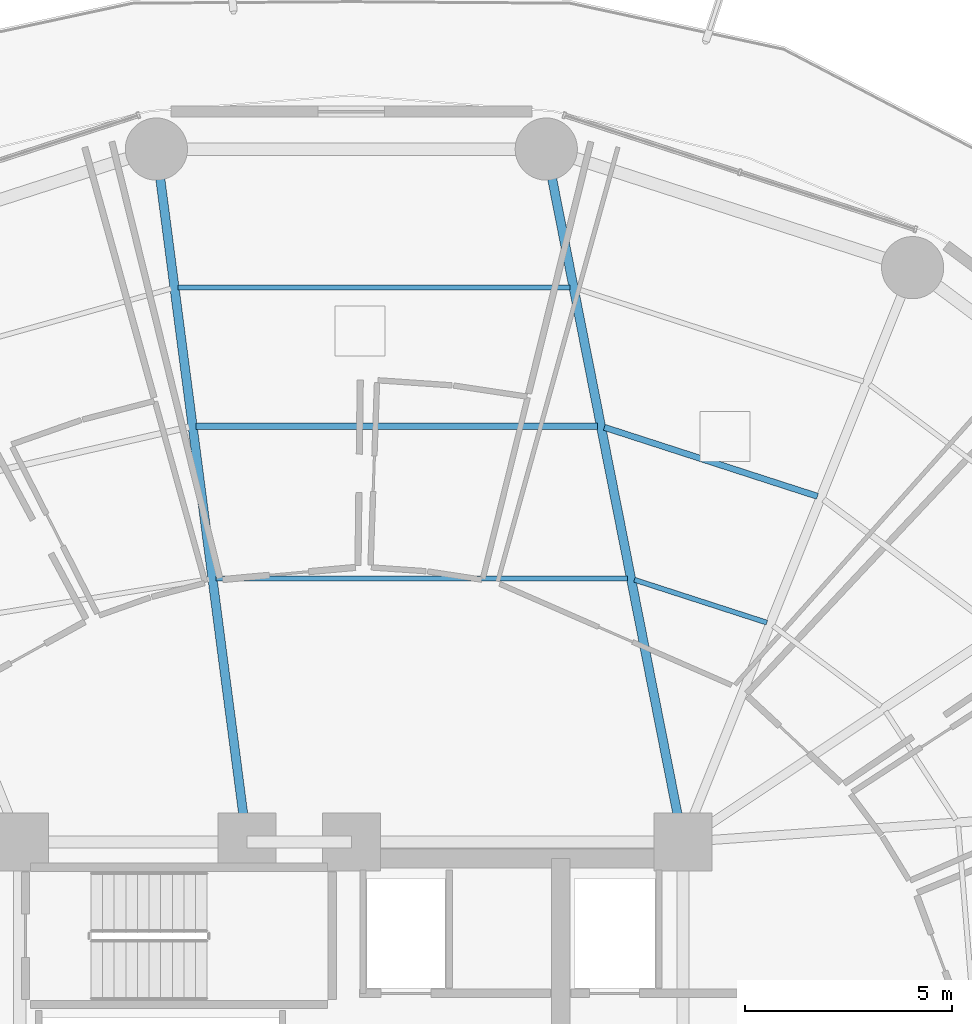
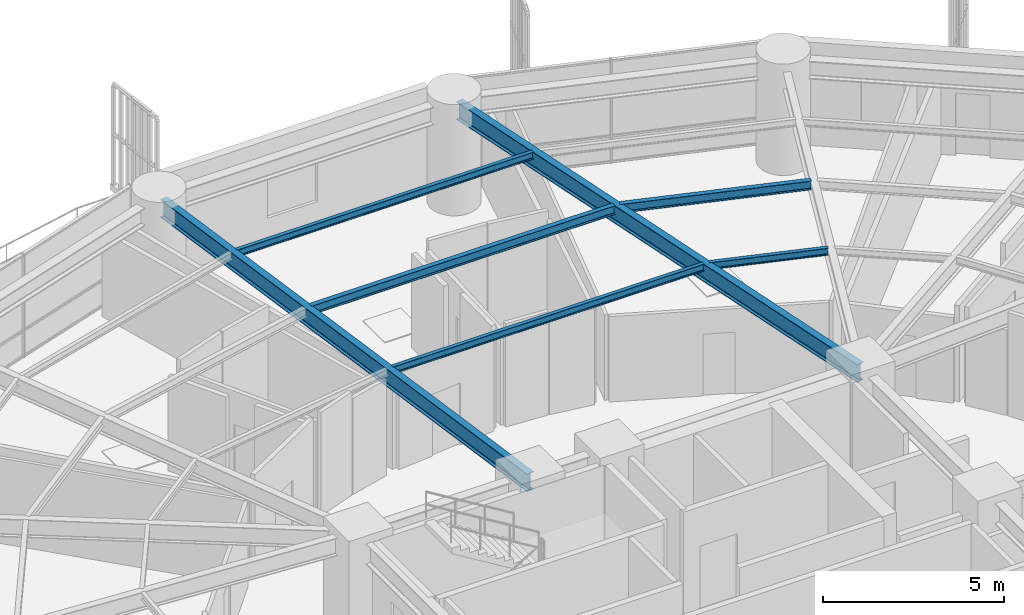
# One storey, part 17 of 35: 7 beams.
"""IFC4 building model written with IfcOpenShell, lengths in metres."""

from ifc_helpers import new_model, si_unit, direction, frame, origin, origin_2d, place, context, subcontext, project, spatial, i_section, extrude, material, material_profile, profile_set, type_object, element, save


model = new_model("IFC4")

# Units and contexts
model_context = context("Model", 3, precision=1e-05, world=origin(), true_north=direction((0.0, 1.0)))
body_context = subcontext(model_context, "Body", "Model", "MODEL_VIEW")
ifc_project = project(units=[si_unit("LENGTHUNIT", "METRE"), si_unit("AREAUNIT", "SQUARE_METRE"), si_unit("VOLUMEUNIT", "CUBIC_METRE"), si_unit("PLANEANGLEUNIT", "RADIAN"), si_unit("MASSUNIT", "GRAM", prefix="KILO")], contexts=[model_context])

# Site, building, storey
site_placement = place(None, origin())
site = spatial("IfcSite", under=ifc_project, at=site_placement, CompositionType="ELEMENT")
building_placement = place(site_placement, origin())
building = spatial("IfcBuilding", under=site, at=building_placement, Name="Kelanora Arch Commons", CompositionType="ELEMENT")
storey_placement = place(building_placement, frame((0.0, 0.0, 22.5)))
storey = spatial("IfcBuildingStorey", under=building, at=storey_placement, Name="L05", CompositionType="ELEMENT", Elevation=22.5)

# Beams
ifc_material = material(Name="Steel S355", Category="steel")
ifc_material_profile_1 = material_profile(ifc_material, i_section(OverallWidth=0.14990234375, OverallDepth=0.300048828125, WebThickness=0.007080078125, FlangeThickness=0.0107421875, FilletRadius=0.014892578125, at=origin_2d()), Name="IPE300")
ifc_profile_set_1 = profile_set([ifc_material_profile_1], Name="Steel S355")
beam_type_1 = type_object("IfcBeamType", Name="BM-JST-01", PredefinedType="JOIST", material=ifc_profile_set_1)
beam_1_placement = place(storey_placement, frame((85.2431640625, 73.33837890625, 3.340087890625), z_axis=(-0.951412209627, 0.307920131482, 0.0), x_axis=(-0.307920131482, -0.951412209627, 0.0)))
element("IfcBeam", 1, at=beam_1_placement, inside=storey, type_object=beam_type_1, Name="Secondary Chord Joist BJB-06 L05", PredefinedType="JOIST", context=body_context, shape_type="SweptSolid", body=[
    extrude(i_section(OverallWidth=0.14990234375, OverallDepth=0.300048828125, WebThickness=0.007080078125, FlangeThickness=0.0107421875, FilletRadius=0.014892578125, at=origin_2d()), origin(), (0.0, 0.0, 1.0), 5.4033203125),
])
beam_2_placement = place(storey_placement, frame((79.936279296875, 75.028564453125, 3.340087890625), z_axis=(-1.0, 0.0, 0.0), x_axis=(0.0, -1.0, 0.0)))
element("IfcBeam", 2, at=beam_2_placement, inside=storey, type_object=beam_type_1, Name="Secondary Chord Joist BJB-08 L05", PredefinedType="JOIST", context=body_context, shape_type="SweptSolid", body=[
    extrude(i_section(OverallWidth=0.14990234375, OverallDepth=0.300048828125, WebThickness=0.007080078125, FlangeThickness=0.0107421875, FilletRadius=0.014892578125, at=origin_2d()), origin(), (0.0, 0.0, 1.0), 9.6806640625),
])
ifc_material_profile_2 = material_profile(ifc_material, i_section(OverallWidth=0.1201171875, OverallDepth=0.239990234375, WebThickness=0.006103515625, FlangeThickness=0.009765625, FilletRadius=0.014892578125, at=origin_2d()), Name="IPE240")
ifc_profile_set_2 = profile_set([ifc_material_profile_2], Name="Steel S355")
beam_type_2 = type_object("IfcBeamType", Name="BM-JST-02", PredefinedType="JOIST", material=ifc_profile_set_2)
beam_3_placement = place(storey_placement, frame((84.0244140625, 70.290771484375, 3.3701171875), z_axis=(-0.951422608074, 0.30788800049, 0.0), x_axis=(-0.30788800049, -0.951422608074, 0.0)))
element("IfcBeam", 3, at=beam_3_placement, inside=storey, type_object=beam_type_2, Name="Secondary Chord Joist BJA-06 L05", PredefinedType="JOIST", context=body_context, shape_type="SweptSolid", body=[
    extrude(i_section(OverallWidth=0.1201171875, OverallDepth=0.239990234375, WebThickness=0.006103515625, FlangeThickness=0.009765625, FilletRadius=0.014892578125, at=origin_2d()), origin(), (0.0, 0.0, 1.0), 3.359619140625),
])
beam_4_placement = place(storey_placement, frame((80.661865234375, 71.351318359375, 3.3701171875), z_axis=(-1.0, 0.0, 0.0), x_axis=(0.0, -1.0, 0.0)))
element("IfcBeam", 4, at=beam_4_placement, inside=storey, type_object=beam_type_2, Name="Secondary Chord Joist BJA-08 L05", PredefinedType="JOIST", context=body_context, shape_type="SweptSolid", body=[
    extrude(i_section(OverallWidth=0.1201171875, OverallDepth=0.239990234375, WebThickness=0.006103515625, FlangeThickness=0.009765625, FilletRadius=0.014892578125, at=origin_2d()), origin(), (0.0, 0.0, 1.0), 9.92626953125),
])
beam_5_placement = place(storey_placement, frame((79.27685546875, 78.371337890625, 3.3701171875), z_axis=(-1.0, 0.0, 0.0), x_axis=(0.0, -1.0, 0.0)))
element("IfcBeam", 5, at=beam_5_placement, inside=storey, type_object=beam_type_2, Name="Secondary Chord Joist BJC-08 L05", PredefinedType="JOIST", context=body_context, shape_type="SweptSolid", body=[
    extrude(i_section(OverallWidth=0.1201171875, OverallDepth=0.239990234375, WebThickness=0.006103515625, FlangeThickness=0.009765625, FilletRadius=0.014892578125, at=origin_2d()), origin(), (0.0, 0.0, 1.0), 9.457763671875),
])
ifc_material_profile_3 = material_profile(ifc_material, i_section(OverallWidth=0.219970703125, OverallDepth=0.60009765625, WebThickness=0.011962890625, FlangeThickness=0.01904296875, FilletRadius=0.02392578125, at=origin_2d()), Name="IPE600")
ifc_profile_set_3 = profile_set([ifc_material_profile_3], Name="Steel S355")
beam_type_3 = type_object("IfcBeamType", Name="BM-RAD-Z1", PredefinedType="BEAM", material=ifc_profile_set_3)
beam_6_placement = place(storey_placement, frame((82.0, 65.0, 3.18994140625), z_axis=(-0.193555256292, 0.981089375522, 0.0), x_axis=(-0.981089375522, -0.193555256292, 0.0)))
element("IfcBeam", 6, at=beam_6_placement, inside=storey, type_object=beam_type_3, Name="Radial Floor Girder BR-08 L05", PredefinedType="BEAM", context=body_context, shape_type="SweptSolid", body=[
    extrude(i_section(OverallWidth=0.219970703125, OverallDepth=0.60009765625, WebThickness=0.011962890625, FlangeThickness=0.01904296875, FilletRadius=0.02392578125, at=origin_2d()), origin(), (0.0, 0.0, 1.0), 16.81640625),
])
beam_7_placement = place(storey_placement, frame((71.47998046875, 65.0, 3.18994140625), z_axis=(-0.129465914729, 0.991583872864, 0.0), x_axis=(-0.991583872864, -0.129465914729, 0.0)))
element("IfcBeam", 7, at=beam_7_placement, inside=storey, type_object=beam_type_3, Name="Radial Floor Girder BR-10 L05", PredefinedType="BEAM", context=body_context, shape_type="SweptSolid", body=[
    extrude(i_section(OverallWidth=0.219970703125, OverallDepth=0.60009765625, WebThickness=0.011962890625, FlangeThickness=0.01904296875, FilletRadius=0.02392578125, at=origin_2d()), origin(), (0.0, 0.0, 1.0), 16.635986328125),
])

save(model, "model.ifc")
